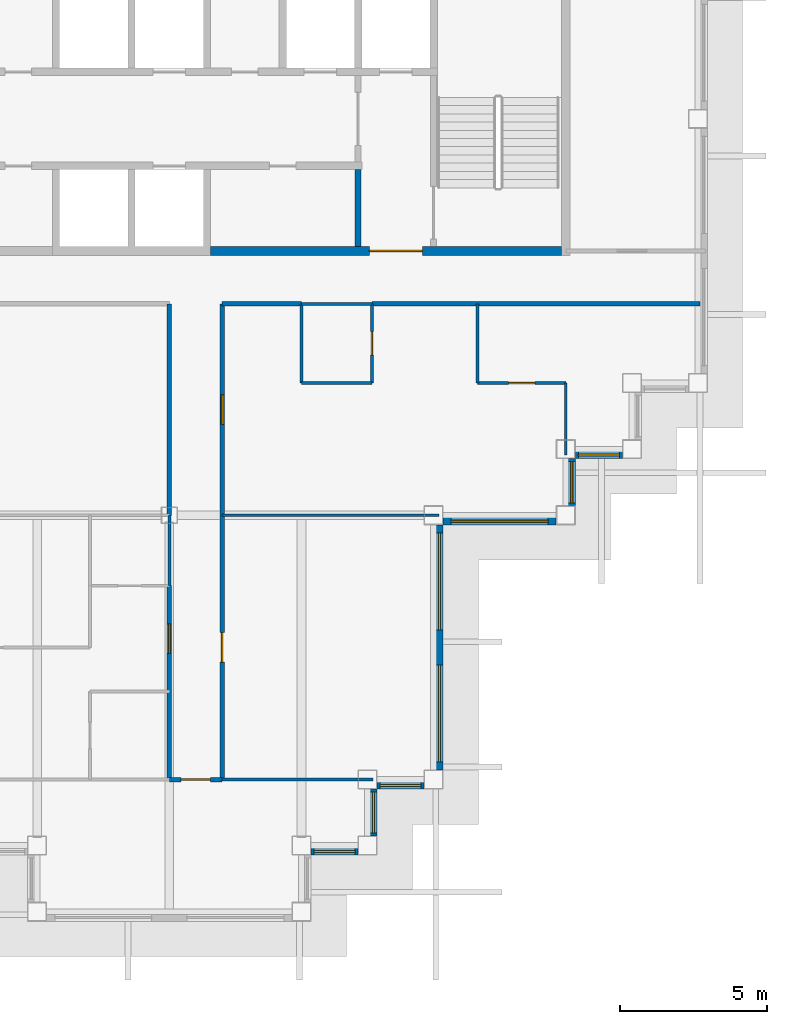
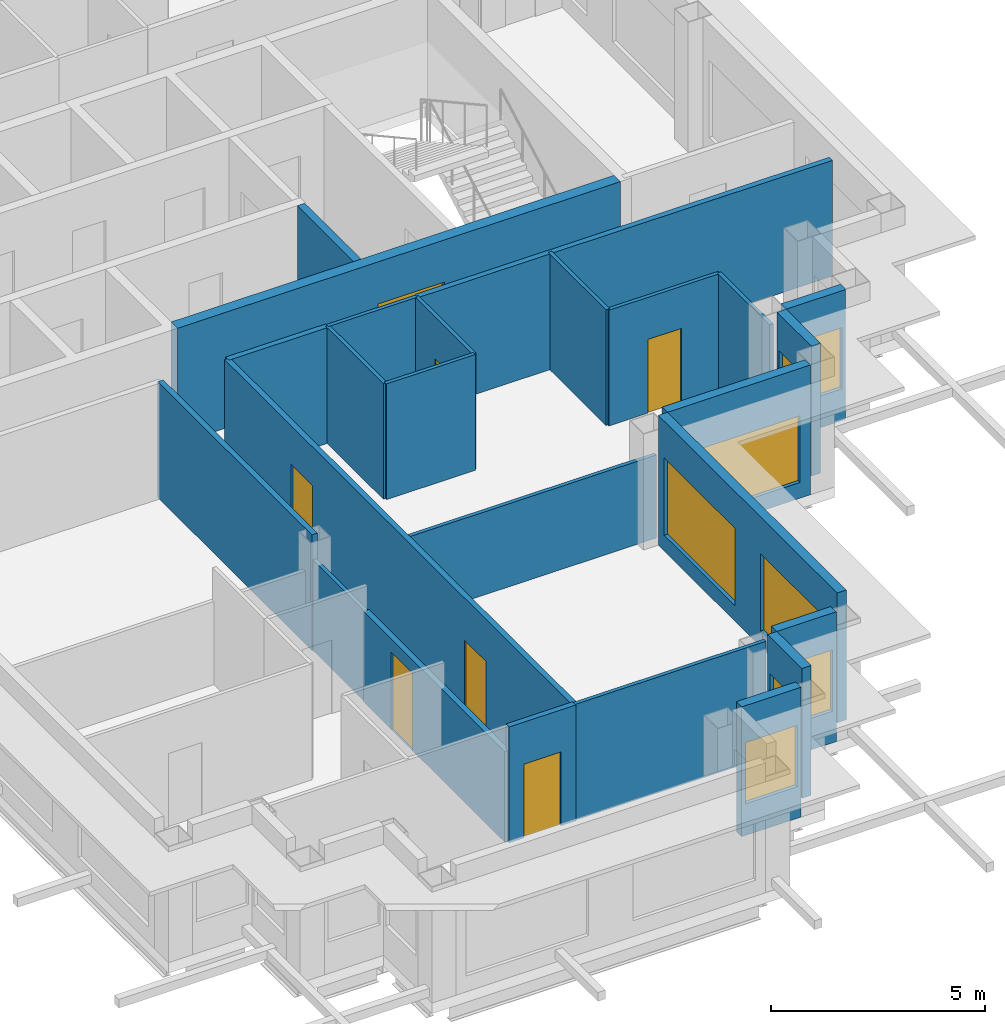
# One storey, part 4 of 11: 25 walls, 8 windows, 7 doors, 15 openings.
"""IFC4 building model written with IfcOpenShell, lengths in metres."""

from ifc_helpers import new_model, si_unit, direction, frame, frame_2d, origin, place, context, subcontext, project, spatial, rectangle, extrude, material, layer, layer_set, type_object, element, fill, save


model = new_model("IFC4")

# Units and contexts
model_context = context("Model", 3, precision=1e-05, world=origin(), true_north=direction((0.0, 1.0)))
body_context = subcontext(model_context, "Body", "Model", "MODEL_VIEW")
ifc_project = project(units=[si_unit("LENGTHUNIT", "METRE"), si_unit("AREAUNIT", "SQUARE_METRE"), si_unit("VOLUMEUNIT", "CUBIC_METRE"), si_unit("PLANEANGLEUNIT", "RADIAN"), si_unit("MASSUNIT", "GRAM", prefix="KILO")], contexts=[model_context])

# Site, building, storey
site_placement = place(None, origin())
site = spatial("IfcSite", under=ifc_project, at=site_placement, CompositionType="ELEMENT")
building_placement = place(site_placement, origin())
building = spatial("IfcBuilding", under=site, at=building_placement, Name="Caravel Reach Hotel and Residences", CompositionType="ELEMENT")
storey_placement = place(building_placement, frame((0.0, 0.0, 229.39990234375)))
storey = spatial("IfcBuildingStorey", under=building, at=storey_placement, Name="L58", CompositionType="ELEMENT", Elevation=229.39990234375)

# Walls
ifc_material_1 = material(Name="Gypsum board on steel stud", Category="steel")
ifc_layer_1 = layer(ifc_material_1, 0.10009765625)
ifc_layer_set_1 = layer_set([ifc_layer_1], Name="Bathroom pod wall 100 mm")
wall_type_1 = type_object("IfcWallType", Name="Bathroom pod wall 100 mm", PredefinedType="PARTITIONING", material=ifc_layer_set_1)
for number, where, z_axis, x_axis, name in (
    (1, (36.0, 18.0, 0.0), (0.0, 0.0, 1.0), (1.0, 0.0, 0.0), "L58 wall w064"),
    (2, (36.0, 20.699951171875, 0.0), (0.0, 0.0, 1.0), (1.0, 0.0, 0.0), "L58 wall w065"),
):
    element("IfcWall", number, at=place(storey_placement, frame(where, z_axis=z_axis, x_axis=x_axis)), inside=storey, type_object=wall_type_1, Name=name, PredefinedType="PARTITIONING", context=body_context, shape_type="SweptSolid", body=[
        extrude(rectangle(XDim=2.39990234375, YDim=0.10009765625, at=frame_2d((1.199951171875, 0.0))), origin(), (0.0, 0.0, 1.0), 3.300048828125),
    ])
wall_1_placement = place(storey_placement, frame((31.5, 11.10009765625, 0.0), z_axis=(0.0, 0.0, 1.0), x_axis=(0.0, 1.0, 0.0)))
element("IfcWall", 3, at=wall_1_placement, inside=storey, type_object=wall_type_1, Name="L58 wall w078", PredefinedType="PARTITIONING", context=body_context, shape_type="SweptSolid", body=[
    extrude(rectangle(XDim=2.39990234375, YDim=0.10009765625, at=frame_2d((1.199951171875, 0.0))), origin(), (0.0, 0.0, 1.0), 2.580078125),
])
wall_2_placement = place(storey_placement, frame((36.0, 18.0, 0.0), z_axis=(0.0, 0.0, 1.0), x_axis=(0.0, 1.0, 0.0)))
element("IfcWall", 4, at=wall_2_placement, inside=storey, type_object=wall_type_1, Name="L58 wall w080", PredefinedType="PARTITIONING", context=body_context, shape_type="SweptSolid", body=[
    extrude(rectangle(XDim=2.698974609375, YDim=0.10009765625, at=frame_2d((1.349609375, 0.0))), origin(), (0.0, 0.0, 1.0), 3.300048828125),
])

# Wall, opening, door
wall_3_placement = place(storey_placement, frame((38.39990234375, 18.0, 0.0), z_axis=(0.0, 0.0, 1.0), x_axis=(0.0, 1.0, 0.0)))
wall_3 = element("IfcWall", 5, at=wall_3_placement, inside=storey, type_object=wall_type_1, Name="L58 wall w082", PredefinedType="PARTITIONING", context=body_context, shape_type="SweptSolid", body=[
    extrude(rectangle(XDim=2.699951171875, YDim=0.10009765625, at=frame_2d((1.35009765625, 0.0))), origin(), (0.0, 0.0, 1.0), 3.300048828125),
])
opening_1_placement = place(wall_3_placement, frame((0.949951171875, 0.0, 0.0)))
opening_1 = element("IfcOpeningElement", 6, at=opening_1_placement, cuts=wall_3, Name="Opening D58-030", PredefinedType="OPENING", context=body_context, shape_type="SweptSolid", body=[
    extrude(rectangle(XDim=0.800048828125, YDim=2.10009765625, at=frame_2d((0.39990234375, 1.050048828125))), frame((0.0, 0.06005859375, 0.0), z_axis=(0.0, -1.0, 0.0), x_axis=(1.0, 0.0, 0.0)), (0.0, 0.0, 1.0), 0.1201171875),
])
ifc_material_2 = material(Name="Timber and steel door leaf", Category="steel")
door_type_1 = type_object("IfcDoorType", Name="Bathroom door 800 x 2100", OperationType="SINGLE_SWING_LEFT", PredefinedType="DOOR", material=ifc_material_2)
door_1_placement = place(opening_1_placement, origin())
door_1 = element("IfcDoor", 7, at=door_1_placement, inside=storey, type_object=door_type_1, Name="door D58-030", OperationType="SINGLE_SWING_RIGHT", OverallHeight=2.10009765625, OverallWidth=0.800048828125, PredefinedType="DOOR", context=body_context, shape_type="SweptSolid", body=[
    extrude(rectangle(XDim=0.800048828125, YDim=2.10009765625, at=frame_2d((0.39990234375, 1.050048828125))), frame((0.0, 0.02490234375, 0.0), z_axis=(0.0, -1.0, 0.0), x_axis=(1.0, 0.0, 0.0)), (0.0, 0.0, 1.0), 0.050048828125),
])
fill(opening_1, door_1)

# Wall
ifc_material_3 = material(Name="Autoclaved aerated block wall")
ifc_layer_2 = layer(ifc_material_3, 0.199951171875)
ifc_layer_set_2 = layer_set([ifc_layer_2], Name="Compartment wall 200 mm EI 120")
wall_type_2 = type_object("IfcWallType", Name="Compartment wall 200 mm EI 120", PredefinedType="PARTITIONING", material=ifc_layer_set_2)
wall_4_placement = place(storey_placement, frame((37.928466796875, 22.64990234375, 0.0), z_axis=(0.0, 0.0, 1.0), x_axis=(0.0, 1.0, 0.0)))
element("IfcWall", 8, at=wall_4_placement, inside=storey, type_object=wall_type_2, Name="L58 store partition", PredefinedType="PARTITIONING", context=body_context, shape_type="SweptSolid", body=[
    extrude(rectangle(XDim=2.625, YDim=0.199951171875, at=frame_2d((1.3125, 0.0))), origin(), (0.0, 0.0, 1.0), 3.300048828125),
])

# Wall, opening, door
ifc_material_4 = material(Name="Concrete C60", Category="concrete")
ifc_layer_3 = layer(ifc_material_4, 0.300048828125)
ifc_layer_set_3 = layer_set([ifc_layer_3], Name="Core wall 300 mm EI 120")
wall_type_3 = type_object("IfcWallType", Name="Core wall 300 mm EI 120", PredefinedType="SHEAR", material=ifc_layer_set_3)
wall_5_placement = place(storey_placement, frame((32.91064453125, 22.5, 0.0), z_axis=(0.0, 0.0, 1.0), x_axis=(1.0, 0.0, 0.0)))
wall_5 = element("IfcWall", 9, at=wall_5_placement, inside=storey, type_object=wall_type_3, Name="L58 core wall S3", PredefinedType="SHEAR", context=body_context, shape_type="SweptSolid", body=[
    extrude(rectangle(XDim=11.939453125, YDim=0.300048828125, at=frame_2d((5.9697265625, 0.0))), origin(), (0.0, 0.0, 1.0), 3.300048828125),
])
opening_2_placement = place(wall_5_placement, frame((5.403564453125, 0.0, 0.0)))
opening_2 = element("IfcOpeningElement", 10, at=opening_2_placement, cuts=wall_5, Name="Opening D58-015", PredefinedType="OPENING", context=body_context, shape_type="SweptSolid", body=[
    extrude(rectangle(XDim=1.800048828125, YDim=2.10009765625, at=frame_2d((0.89990234375, 1.050048828125))), frame((0.0, 0.159912109375, 0.0), z_axis=(0.0, -1.0, 0.0), x_axis=(1.0, 0.0, 0.0)), (0.0, 0.0, 1.0), 0.320068359375),
])
ifc_material_5 = material(Name="Steel fire door leaf", Category="steel")
door_type_2 = type_object("IfcDoorType", Name="Fire lobby door pair 1800 x 2100 EI 90", OperationType="DOUBLE_DOOR_SINGLE_SWING", PredefinedType="DOOR", material=ifc_material_5)
door_2_placement = place(opening_2_placement, origin())
door_2 = element("IfcDoor", 11, at=door_2_placement, inside=storey, type_object=door_type_2, Name="lobby S door pair to corridor", OperationType="DOUBLE_DOOR_SINGLE_SWING", OverallHeight=2.10009765625, OverallWidth=1.800048828125, PredefinedType="DOOR", context=body_context, shape_type="SweptSolid", body=[
    extrude(rectangle(XDim=1.800048828125, YDim=2.10009765625, at=frame_2d((0.89990234375, 1.050048828125))), frame((0.0, 0.02490234375, 0.0), z_axis=(0.0, -1.0, 0.0), x_axis=(1.0, 0.0, 0.0)), (0.0, 0.0, 1.0), 0.050048828125),
])
fill(opening_2, door_2)

# Walls
ifc_material_6 = material(Name="Gypsum board on steel stud, fire-rated", Category="steel")
ifc_layer_4 = layer(ifc_material_6, 0.14990234375)
ifc_layer_set_4 = layer_set([ifc_layer_4], Name="Corridor wall 150 mm EI 60")
wall_type_4 = type_object("IfcWallType", Name="Corridor wall 150 mm EI 60", PredefinedType="PARTITIONING", material=ifc_layer_set_4)
wall_6_placement = place(storey_placement, frame((33.301025390625, 20.699951171875, 0.0), z_axis=(0.0, 0.0, 1.0), x_axis=(1.0, 0.0, 0.0)))
element("IfcWall", 12, at=wall_6_placement, inside=storey, type_object=wall_type_4, Name="L58 wall w001", PredefinedType="PARTITIONING", context=body_context, shape_type="SweptSolid", body=[
    extrude(rectangle(XDim=2.697998046875, YDim=0.14990234375, at=frame_2d((1.34912109375, 0.0))), origin(), (0.0, 0.0, 1.0), 3.300048828125),
])
wall_7_placement = place(storey_placement, frame((38.39990234375, 20.699951171875, 0.0), z_axis=(0.0, 0.0, 1.0), x_axis=(1.0, 0.0, 0.0)))
element("IfcWall", 13, at=wall_7_placement, inside=storey, type_object=wall_type_4, Name="L58 wall w002", PredefinedType="PARTITIONING", context=body_context, shape_type="SweptSolid", body=[
    extrude(rectangle(XDim=11.175048828125, YDim=0.14990234375, at=frame_2d((5.58740234375, 0.0))), origin(), (0.0, 0.0, 1.0), 3.300048828125),
])

# Wall, opening, door
wall_8_placement = place(storey_placement, frame((31.5, 4.5, 0.0), z_axis=(0.0, 0.0, 1.0), x_axis=(1.0, 0.0, 0.0)))
wall_8 = element("IfcWall", 14, at=wall_8_placement, inside=storey, type_object=wall_type_4, Name="L58 wall w017", PredefinedType="PARTITIONING", context=body_context, shape_type="SweptSolid", body=[
    extrude(rectangle(XDim=1.800048828125, YDim=0.14990234375, at=frame_2d((0.89990234375, 0.0))), origin(), (0.0, 0.0, 1.0), 3.300048828125),
])
opening_3_placement = place(wall_8_placement, frame((0.39990234375, 0.0, 0.0)))
opening_3 = element("IfcOpeningElement", 15, at=opening_3_placement, cuts=wall_8, Name="Opening D58-041", PredefinedType="OPENING", context=body_context, shape_type="SweptSolid", body=[
    extrude(rectangle(XDim=1.0, YDim=2.10009765625, at=frame_2d((0.5, 1.050048828125))), frame((0.0, 0.0849609375, 0.0), z_axis=(0.0, -1.0, 0.0), x_axis=(1.0, 0.0, 0.0)), (0.0, 0.0, 1.0), 0.169921875),
])
ifc_material_7 = material(Name="Steel fire door leaf", Category="steel")
door_type_3 = type_object("IfcDoorType", Name="Fire door 1000 x 2100 EI 60", OperationType="SINGLE_SWING_LEFT", PredefinedType="DOOR", material=ifc_material_7)
door_3_placement = place(opening_3_placement, origin())
door_3 = element("IfcDoor", 16, at=door_3_placement, inside=storey, type_object=door_type_3, Name="door D58-041", OperationType="SINGLE_SWING_RIGHT", OverallHeight=2.10009765625, OverallWidth=1.0, PredefinedType="DOOR", context=body_context, shape_type="SweptSolid", body=[
    extrude(rectangle(XDim=1.0, YDim=2.10009765625, at=frame_2d((0.5, 1.050048828125))), frame((0.0, 0.02490234375, 0.0), z_axis=(0.0, -1.0, 0.0), x_axis=(1.0, 0.0, 0.0)), (0.0, 0.0, 1.0), 0.050048828125),
])
fill(opening_3, door_3)

wall_9_placement = place(storey_placement, frame((31.5, 4.5, 0.0), z_axis=(0.0, 0.0, 1.0), x_axis=(0.0, 1.0, 0.0)))
wall_9 = element("IfcWall", 17, at=wall_9_placement, inside=storey, type_object=wall_type_4, Name="L58 wall w021", PredefinedType="PARTITIONING", context=body_context, shape_type="SweptSolid", body=[
    extrude(rectangle(XDim=6.60009765625, YDim=0.14990234375, at=frame_2d((3.300048828125, 0.0))), origin(), (0.0, 0.0, 1.0), 2.580078125),
])
opening_4_placement = place(wall_9_placement, frame((4.300048828125, 0.0, 0.0)))
opening_4 = element("IfcOpeningElement", 18, at=opening_4_placement, cuts=wall_9, Name="Opening D58-032", PredefinedType="OPENING", context=body_context, shape_type="SweptSolid", body=[
    extrude(rectangle(XDim=1.0, YDim=2.199951171875, at=frame_2d((0.5, 1.10009765625))), frame((0.0, 0.0849609375, 0.0), z_axis=(0.0, -1.0, 0.0), x_axis=(1.0, 0.0, 0.0)), (0.0, 0.0, 1.0), 0.169921875),
])
ifc_material_8 = material(Name="Steel fire door leaf", Category="steel")
door_type_4 = type_object("IfcDoorType", Name="Flat entrance door 1000 x 2200 EI 60", OperationType="SINGLE_SWING_LEFT", PredefinedType="DOOR", material=ifc_material_8)
door_4_placement = place(opening_4_placement, origin())
door_4 = element("IfcDoor", 19, at=door_4_placement, inside=storey, type_object=door_type_4, Name="door D58-032", OperationType="SINGLE_SWING_LEFT", OverallHeight=2.199951171875, OverallWidth=1.0, PredefinedType="DOOR", context=body_context, shape_type="SweptSolid", body=[
    extrude(rectangle(XDim=1.0, YDim=2.199951171875, at=frame_2d((0.5, 1.10009765625))), frame((0.0, 0.02490234375, 0.0), z_axis=(0.0, -1.0, 0.0), x_axis=(1.0, 0.0, 0.0)), (0.0, 0.0, 1.0), 0.050048828125),
])
fill(opening_4, door_4)

# Wall
wall_10_placement = place(storey_placement, frame((31.5, 13.5, 0.0), z_axis=(0.0, 0.0, 1.0), x_axis=(0.0, 1.0, 0.0)))
element("IfcWall", 20, at=wall_10_placement, inside=storey, type_object=wall_type_4, Name="L58 wall w022", PredefinedType="PARTITIONING", context=body_context, shape_type="SweptSolid", body=[
    extrude(rectangle(XDim=7.199951171875, YDim=0.14990234375, at=frame_2d((3.60009765625, 0.0))), origin(), (0.0, 0.0, 1.0), 3.300048828125),
])

# Wall, openings, doors
wall_11_placement = place(storey_placement, frame((33.300048828125, 4.5, 0.0), z_axis=(0.0, 0.0, 1.0), x_axis=(0.0, 1.0, 0.0)))
wall_11 = element("IfcWall", 21, at=wall_11_placement, inside=storey, type_object=wall_type_4, Name="L58 wall w023", PredefinedType="PARTITIONING", context=body_context, shape_type="SweptSolid", body=[
    extrude(rectangle(XDim=16.198974609375, YDim=0.14990234375, at=frame_2d((8.099609375, 0.0))), origin(), (0.0, 0.0, 1.0), 3.300048828125),
])
opening_5_placement = place(wall_11_placement, frame((12.09912109375, 0.0, 0.0)))
opening_5 = element("IfcOpeningElement", 22, at=opening_5_placement, cuts=wall_11, Name="Opening D58-029", PredefinedType="OPENING", context=body_context, shape_type="SweptSolid", body=[
    extrude(rectangle(XDim=1.0, YDim=2.199951171875, at=frame_2d((0.5, 1.10009765625))), frame((0.0, 0.0849609375, 0.0), z_axis=(0.0, -1.0, 0.0), x_axis=(1.0, 0.0, 0.0)), (0.0, 0.0, 1.0), 0.169921875),
])
opening_6_placement = place(wall_11_placement, frame((4.0, 0.0, 0.0)))
opening_6 = element("IfcOpeningElement", 23, at=opening_6_placement, cuts=wall_11, Name="Opening D58-036", PredefinedType="OPENING", context=body_context, shape_type="SweptSolid", body=[
    extrude(rectangle(XDim=1.0, YDim=2.10009765625, at=frame_2d((0.5, 1.050048828125))), frame((0.0, 0.0849609375, 0.0), z_axis=(0.0, -1.0, 0.0), x_axis=(1.0, 0.0, 0.0)), (0.0, 0.0, 1.0), 0.169921875),
])
door_5_placement = place(opening_6_placement, origin())
door_5 = element("IfcDoor", 24, at=door_5_placement, inside=storey, type_object=door_type_3, Name="door D58-036", OperationType="SINGLE_SWING_LEFT", OverallHeight=2.10009765625, OverallWidth=1.0, PredefinedType="DOOR", context=body_context, shape_type="SweptSolid", body=[
    extrude(rectangle(XDim=1.0, YDim=2.10009765625, at=frame_2d((0.5, 1.050048828125))), frame((0.0, 0.02490234375, 0.0), z_axis=(0.0, -1.0, 0.0), x_axis=(1.0, 0.0, 0.0)), (0.0, 0.0, 1.0), 0.050048828125),
])
fill(opening_6, door_5)
door_6_placement = place(opening_5_placement, origin())
door_6 = element("IfcDoor", 25, at=door_6_placement, inside=storey, type_object=door_type_4, Name="door D58-029", OperationType="SINGLE_SWING_LEFT", OverallHeight=2.199951171875, OverallWidth=1.0, PredefinedType="DOOR", context=body_context, shape_type="SweptSolid", body=[
    extrude(rectangle(XDim=1.0, YDim=2.199951171875, at=frame_2d((0.5, 1.10009765625))), frame((0.0, 0.02490234375, 0.0), z_axis=(0.0, -1.0, 0.0), x_axis=(1.0, 0.0, 0.0)), (0.0, 0.0, 1.0), 0.050048828125),
])
fill(opening_5, door_6)

# Wall, opening, window
ifc_material_9 = material(Name="Insulated rainscreen wall, aluminium cladding", Category="aluminium")
ifc_layer_5 = layer(ifc_material_9, 0.25)
ifc_layer_set_5 = layer_set([ifc_layer_5], Name="EW1 Tower rainscreen wall")
wall_type_5 = type_object("IfcWallType", Name="EW1 Tower rainscreen wall", PredefinedType="SOLIDWALL", material=ifc_layer_set_5)
wall_12_placement = place(storey_placement, frame((40.824951171875, 13.300048828125, 0.0), z_axis=(0.0, 0.0, 1.0), x_axis=(1.0, 0.0, 0.0)))
wall_12 = element("IfcWall", 26, at=wall_12_placement, inside=storey, type_object=wall_type_5, Name="External wall L58 S1.1", PredefinedType="SOLIDWALL", context=body_context, shape_type="SweptSolid", body=[
    extrude(rectangle(XDim=3.85009765625, YDim=0.25, at=frame_2d((1.925048828125, 0.0))), origin(), (0.0, 0.0, 1.0), 3.7001953125),
])
opening_7_placement = place(wall_12_placement, frame((0.27490234375, 0.0, 0.449951171875)))
opening_7 = element("IfcOpeningElement", 27, at=opening_7_placement, cuts=wall_12, Name="Opening WN23", PredefinedType="OPENING", context=body_context, shape_type="SweptSolid", body=[
    extrude(rectangle(XDim=3.300048828125, YDim=1.89990234375, at=frame_2d((1.64990234375, 0.949951171875))), frame((0.0, 0.135009765625, 0.0), z_axis=(0.0, -1.0, 0.0), x_axis=(1.0, 0.0, 0.0)), (0.0, 0.0, 1.0), 0.27001953125),
])
ifc_material_10 = material(Name="Dark low-e glazing in black aluminium frame", Category="aluminium")
window_type_1 = type_object("IfcWindowType", Name="Residence living window 3300 x 1900", PartitioningType="SINGLE_PANEL", PredefinedType="WINDOW", material=ifc_material_10)
window_1_placement = place(opening_7_placement, origin())
window_1 = element("IfcWindow", 28, at=window_1_placement, inside=storey, type_object=window_type_1, Name="Window L58 S1.1.1", OverallHeight=1.89990234375, OverallWidth=3.300048828125, PartitioningType="SINGLE_PANEL", PredefinedType="WINDOW", context=body_context, shape_type="SweptSolid", body=[
    extrude(rectangle(XDim=3.300048828125, YDim=1.89990234375, at=frame_2d((1.64990234375, 0.949951171875))), frame((0.0, 0.030029296875, 0.0), z_axis=(0.0, -1.0, 0.0), x_axis=(1.0, 0.0, 0.0)), (0.0, 0.0, 1.0), 0.06005859375),
])
fill(opening_7, window_1)

wall_13_placement = place(storey_placement, frame((45.199951171875, 13.824951171875, 0.0), z_axis=(0.0, 0.0, 1.0), x_axis=(0.0, 1.0, 0.0)))
wall_13 = element("IfcWall", 29, at=wall_13_placement, inside=storey, type_object=wall_type_5, Name="External wall L58 E2.1", PredefinedType="SOLIDWALL", context=body_context, shape_type="SweptSolid", body=[
    extrude(rectangle(XDim=1.60009765625, YDim=0.25, at=frame_2d((0.800048828125, 0.0))), origin(), (0.0, 0.0, 1.0), 3.7001953125),
])
opening_8_placement = place(wall_13_placement, frame((0.10009765625, 0.0, 0.89990234375)))
opening_8 = element("IfcOpeningElement", 30, at=opening_8_placement, cuts=wall_13, Name="Opening WN24", PredefinedType="OPENING", context=body_context, shape_type="SweptSolid", body=[
    extrude(rectangle(XDim=1.39990234375, YDim=1.75, at=frame_2d((0.699951171875, 0.875))), frame((0.0, 0.135009765625, 0.0), z_axis=(0.0, -1.0, 0.0), x_axis=(1.0, 0.0, 0.0)), (0.0, 0.0, 1.0), 0.27001953125),
])
ifc_material_11 = material(Name="Dark low-e glazing in black aluminium frame", Category="aluminium")
window_type_2 = type_object("IfcWindowType", Name="Residence bedroom window 1400 x 1750", PartitioningType="SINGLE_PANEL", PredefinedType="WINDOW", material=ifc_material_11)
window_2_placement = place(opening_8_placement, origin())
window_2 = element("IfcWindow", 31, at=window_2_placement, inside=storey, type_object=window_type_2, Name="Window L58 E2.1.1", OverallHeight=1.75, OverallWidth=1.39990234375, PartitioningType="SINGLE_PANEL", PredefinedType="WINDOW", context=body_context, shape_type="SweptSolid", body=[
    extrude(rectangle(XDim=1.39990234375, YDim=1.75, at=frame_2d((0.699951171875, 0.875))), frame((0.0, 0.030029296875, 0.0), z_axis=(0.0, -1.0, 0.0), x_axis=(1.0, 0.0, 0.0)), (0.0, 0.0, 1.0), 0.06005859375),
])
fill(opening_8, window_2)

wall_14_placement = place(storey_placement, frame((45.324951171875, 15.550048828125, 0.0), z_axis=(0.0, 0.0, 1.0), x_axis=(1.0, 0.0, 0.0)))
wall_14 = element("IfcWall", 32, at=wall_14_placement, inside=storey, type_object=wall_type_5, Name="External wall L58 S3.1", PredefinedType="SOLIDWALL", context=body_context, shape_type="SweptSolid", body=[
    extrude(rectangle(XDim=1.60009765625, YDim=0.25, at=frame_2d((0.800048828125, 0.0))), origin(), (0.0, 0.0, 1.0), 3.7001953125),
])
opening_9_placement = place(wall_14_placement, frame((0.10009765625, 0.0, 0.89990234375)))
opening_9 = element("IfcOpeningElement", 33, at=opening_9_placement, cuts=wall_14, Name="Opening WN24", PredefinedType="OPENING", context=body_context, shape_type="SweptSolid", body=[
    extrude(rectangle(XDim=1.39990234375, YDim=1.75, at=frame_2d((0.699951171875, 0.875))), frame((0.0, 0.135009765625, 0.0), z_axis=(0.0, -1.0, 0.0), x_axis=(1.0, 0.0, 0.0)), (0.0, 0.0, 1.0), 0.27001953125),
])
window_3_placement = place(opening_9_placement, origin())
window_3 = element("IfcWindow", 34, at=window_3_placement, inside=storey, type_object=window_type_2, Name="Window L58 S3.1.1", OverallHeight=1.75, OverallWidth=1.39990234375, PartitioningType="SINGLE_PANEL", PredefinedType="WINDOW", context=body_context, shape_type="SweptSolid", body=[
    extrude(rectangle(XDim=1.39990234375, YDim=1.75, at=frame_2d((0.699951171875, 0.875))), frame((0.0, 0.030029296875, 0.0), z_axis=(0.0, -1.0, 0.0), x_axis=(1.0, 0.0, 0.0)), (0.0, 0.0, 1.0), 0.06005859375),
])
fill(opening_9, window_3)

wall_15_placement = place(storey_placement, frame((36.324951171875, 2.050048828125, 0.0), z_axis=(0.0, 0.0, 1.0), x_axis=(1.0, 0.0, 0.0)))
wall_15 = element("IfcWall", 35, at=wall_15_placement, inside=storey, type_object=wall_type_5, Name="External wall L58 S37.1", PredefinedType="SOLIDWALL", context=body_context, shape_type="SweptSolid", body=[
    extrude(rectangle(XDim=1.60009765625, YDim=0.25, at=frame_2d((0.800048828125, 0.0))), origin(), (0.0, 0.0, 1.0), 3.7001953125),
])
opening_10_placement = place(wall_15_placement, frame((0.10009765625, 0.0, 0.89990234375)))
opening_10 = element("IfcOpeningElement", 36, at=opening_10_placement, cuts=wall_15, Name="Opening WN24", PredefinedType="OPENING", context=body_context, shape_type="SweptSolid", body=[
    extrude(rectangle(XDim=1.39990234375, YDim=1.75, at=frame_2d((0.699951171875, 0.875))), frame((0.0, 0.135009765625, 0.0), z_axis=(0.0, -1.0, 0.0), x_axis=(1.0, 0.0, 0.0)), (0.0, 0.0, 1.0), 0.27001953125),
])
window_4_placement = place(opening_10_placement, origin())
window_4 = element("IfcWindow", 37, at=window_4_placement, inside=storey, type_object=window_type_2, Name="Window L58 S37.1.1", OverallHeight=1.75, OverallWidth=1.39990234375, PartitioningType="SINGLE_PANEL", PredefinedType="WINDOW", context=body_context, shape_type="SweptSolid", body=[
    extrude(rectangle(XDim=1.39990234375, YDim=1.75, at=frame_2d((0.699951171875, 0.875))), frame((0.0, 0.030029296875, 0.0), z_axis=(0.0, -1.0, 0.0), x_axis=(1.0, 0.0, 0.0)), (0.0, 0.0, 1.0), 0.06005859375),
])
fill(opening_10, window_4)

wall_16_placement = place(storey_placement, frame((38.449951171875, 2.574951171875, 0.0), z_axis=(0.0, 0.0, 1.0), x_axis=(0.0, 1.0, 0.0)))
wall_16 = element("IfcWall", 38, at=wall_16_placement, inside=storey, type_object=wall_type_5, Name="External wall L58 E38.1", PredefinedType="SOLIDWALL", context=body_context, shape_type="SweptSolid", body=[
    extrude(rectangle(XDim=1.60009765625, YDim=0.25, at=frame_2d((0.800048828125, 0.0))), origin(), (0.0, 0.0, 1.0), 3.7001953125),
])
opening_11_placement = place(wall_16_placement, frame((0.10009765625, 0.0, 0.89990234375)))
opening_11 = element("IfcOpeningElement", 39, at=opening_11_placement, cuts=wall_16, Name="Opening WN24", PredefinedType="OPENING", context=body_context, shape_type="SweptSolid", body=[
    extrude(rectangle(XDim=1.39990234375, YDim=1.75, at=frame_2d((0.699951171875, 0.875))), frame((0.0, 0.135009765625, 0.0), z_axis=(0.0, -1.0, 0.0), x_axis=(1.0, 0.0, 0.0)), (0.0, 0.0, 1.0), 0.27001953125),
])
window_5_placement = place(opening_11_placement, origin())
window_5 = element("IfcWindow", 40, at=window_5_placement, inside=storey, type_object=window_type_2, Name="Window L58 E38.1.1", OverallHeight=1.75, OverallWidth=1.39990234375, PartitioningType="SINGLE_PANEL", PredefinedType="WINDOW", context=body_context, shape_type="SweptSolid", body=[
    extrude(rectangle(XDim=1.39990234375, YDim=1.75, at=frame_2d((0.699951171875, 0.875))), frame((0.0, 0.030029296875, 0.0), z_axis=(0.0, -1.0, 0.0), x_axis=(1.0, 0.0, 0.0)), (0.0, 0.0, 1.0), 0.06005859375),
])
fill(opening_11, window_5)

wall_17_placement = place(storey_placement, frame((38.574951171875, 4.300048828125, 0.0), z_axis=(0.0, 0.0, 1.0), x_axis=(1.0, 0.0, 0.0)))
wall_17 = element("IfcWall", 41, at=wall_17_placement, inside=storey, type_object=wall_type_5, Name="External wall L58 S39.1", PredefinedType="SOLIDWALL", context=body_context, shape_type="SweptSolid", body=[
    extrude(rectangle(XDim=1.60009765625, YDim=0.25, at=frame_2d((0.800048828125, 0.0))), origin(), (0.0, 0.0, 1.0), 3.7001953125),
])
opening_12_placement = place(wall_17_placement, frame((0.10009765625, 0.0, 0.89990234375)))
opening_12 = element("IfcOpeningElement", 42, at=opening_12_placement, cuts=wall_17, Name="Opening WN24", PredefinedType="OPENING", context=body_context, shape_type="SweptSolid", body=[
    extrude(rectangle(XDim=1.39990234375, YDim=1.75, at=frame_2d((0.699951171875, 0.875))), frame((0.0, 0.135009765625, 0.0), z_axis=(0.0, -1.0, 0.0), x_axis=(1.0, 0.0, 0.0)), (0.0, 0.0, 1.0), 0.27001953125),
])
window_6_placement = place(opening_12_placement, origin())
window_6 = element("IfcWindow", 43, at=window_6_placement, inside=storey, type_object=window_type_2, Name="Window L58 S39.1.1", OverallHeight=1.75, OverallWidth=1.39990234375, PartitioningType="SINGLE_PANEL", PredefinedType="WINDOW", context=body_context, shape_type="SweptSolid", body=[
    extrude(rectangle(XDim=1.39990234375, YDim=1.75, at=frame_2d((0.699951171875, 0.875))), frame((0.0, 0.030029296875, 0.0), z_axis=(0.0, -1.0, 0.0), x_axis=(1.0, 0.0, 0.0)), (0.0, 0.0, 1.0), 0.06005859375),
])
fill(opening_12, window_6)

# Wall, openings, windows
wall_18_placement = place(storey_placement, frame((40.699951171875, 4.824951171875, 0.0), z_axis=(0.0, 0.0, 1.0), x_axis=(0.0, 1.0, 0.0)))
wall_18 = element("IfcWall", 44, at=wall_18_placement, inside=storey, type_object=wall_type_5, Name="External wall L58 E40.1", PredefinedType="SOLIDWALL", context=body_context, shape_type="SweptSolid", body=[
    extrude(rectangle(XDim=8.35009765625, YDim=0.25, at=frame_2d((4.175048828125, 0.0))), origin(), (0.0, 0.0, 1.0), 3.7001953125),
])
opening_13_placement = place(wall_18_placement, frame((0.27490234375, 0.0, 0.449951171875)))
opening_13 = element("IfcOpeningElement", 45, at=opening_13_placement, cuts=wall_18, Name="Opening WN19", PredefinedType="OPENING", context=body_context, shape_type="SweptSolid", body=[
    extrude(rectangle(XDim=3.300048828125, YDim=2.199951171875, at=frame_2d((1.64990234375, 1.10009765625))), frame((0.0, 0.135009765625, 0.0), z_axis=(0.0, -1.0, 0.0), x_axis=(1.0, 0.0, 0.0)), (0.0, 0.0, 1.0), 0.27001953125),
])
opening_14_placement = place(wall_18_placement, frame((4.77490234375, 0.0, 0.449951171875)))
opening_14 = element("IfcOpeningElement", 46, at=opening_14_placement, cuts=wall_18, Name="Opening WN19", PredefinedType="OPENING", context=body_context, shape_type="SweptSolid", body=[
    extrude(rectangle(XDim=3.300048828125, YDim=2.199951171875, at=frame_2d((1.64990234375, 1.10009765625))), frame((0.0, 0.135009765625, 0.0), z_axis=(0.0, -1.0, 0.0), x_axis=(1.0, 0.0, 0.0)), (0.0, 0.0, 1.0), 0.27001953125),
])
ifc_material_12 = material(Name="Dark low-e glazing in black aluminium frame", Category="aluminium")
window_type_3 = type_object("IfcWindowType", Name="Residence living window 3300 x 2200", PartitioningType="SINGLE_PANEL", PredefinedType="WINDOW", material=ifc_material_12)
window_7_placement = place(opening_13_placement, origin())
window_7 = element("IfcWindow", 47, at=window_7_placement, inside=storey, type_object=window_type_3, Name="Window L58 E40.1.1", OverallHeight=2.199951171875, OverallWidth=3.300048828125, PartitioningType="SINGLE_PANEL", PredefinedType="WINDOW", context=body_context, shape_type="SweptSolid", body=[
    extrude(rectangle(XDim=3.300048828125, YDim=2.199951171875, at=frame_2d((1.64990234375, 1.10009765625))), frame((0.0, 0.030029296875, 0.0), z_axis=(0.0, -1.0, 0.0), x_axis=(1.0, 0.0, 0.0)), (0.0, 0.0, 1.0), 0.06005859375),
])
fill(opening_13, window_7)
window_8_placement = place(opening_14_placement, origin())
window_8 = element("IfcWindow", 48, at=window_8_placement, inside=storey, type_object=window_type_3, Name="Window L58 E40.1.2", OverallHeight=2.199951171875, OverallWidth=3.300048828125, PartitioningType="SINGLE_PANEL", PredefinedType="WINDOW", context=body_context, shape_type="SweptSolid", body=[
    extrude(rectangle(XDim=3.300048828125, YDim=2.199951171875, at=frame_2d((1.64990234375, 1.10009765625))), frame((0.0, 0.030029296875, 0.0), z_axis=(0.0, -1.0, 0.0), x_axis=(1.0, 0.0, 0.0)), (0.0, 0.0, 1.0), 0.06005859375),
])
fill(opening_14, window_8)

# Wall
ifc_material_13 = material(Name="Gypsum board on steel stud", Category="steel")
ifc_layer_6 = layer(ifc_material_13, 0.10009765625)
ifc_layer_set_6 = layer_set([ifc_layer_6], Name="Partition 100 mm")
wall_type_6 = type_object("IfcWallType", Name="Partition 100 mm", PredefinedType="PARTITIONING", material=ifc_layer_set_6)
wall_19_placement = place(storey_placement, frame((33.301025390625, 13.5, 0.0), z_axis=(0.0, 0.0, 1.0), x_axis=(1.0, 0.0, 0.0)))
element("IfcWall", 49, at=wall_19_placement, inside=storey, type_object=wall_type_6, Name="L58 wall w027", PredefinedType="PARTITIONING", context=body_context, shape_type="SweptSolid", body=[
    extrude(rectangle(XDim=7.388916015625, YDim=0.10009765625, at=frame_2d((3.6943359375, 0.0))), origin(), (0.0, 0.0, 1.0), 2.3681640625),
])

# Wall, opening, door
wall_20_placement = place(storey_placement, frame((42.0, 18.0, 0.0), z_axis=(0.0, 0.0, 1.0), x_axis=(1.0, 0.0, 0.0)))
wall_20 = element("IfcWall", 50, at=wall_20_placement, inside=storey, type_object=wall_type_6, Name="L58 wall w030", PredefinedType="PARTITIONING", context=body_context, shape_type="SweptSolid", body=[
    extrude(rectangle(XDim=3.0, YDim=0.10009765625, at=frame_2d((1.5, 0.0))), origin(), (0.0, 0.0, 1.0), 3.300048828125),
])
opening_15_placement = place(wall_20_placement, frame((1.050048828125, 0.0, 0.0)))
opening_15 = element("IfcOpeningElement", 51, at=opening_15_placement, cuts=wall_20, Name="Opening D58-031", PredefinedType="OPENING", context=body_context, shape_type="SweptSolid", body=[
    extrude(rectangle(XDim=0.89990234375, YDim=2.10009765625, at=frame_2d((0.449951171875, 1.050048828125))), frame((0.0, 0.06005859375, 0.0), z_axis=(0.0, -1.0, 0.0), x_axis=(1.0, 0.0, 0.0)), (0.0, 0.0, 1.0), 0.1201171875),
])
ifc_material_14 = material(Name="Timber and steel door leaf", Category="steel")
door_type_5 = type_object("IfcDoorType", Name="Door 900 x 2100 timber", OperationType="SINGLE_SWING_LEFT", PredefinedType="DOOR", material=ifc_material_14)
door_7_placement = place(opening_15_placement, origin())
door_7 = element("IfcDoor", 52, at=door_7_placement, inside=storey, type_object=door_type_5, Name="door D58-031", OperationType="SINGLE_SWING_RIGHT", OverallHeight=2.10009765625, OverallWidth=0.89990234375, PredefinedType="DOOR", context=body_context, shape_type="SweptSolid", body=[
    extrude(rectangle(XDim=0.89990234375, YDim=2.10009765625, at=frame_2d((0.449951171875, 1.050048828125))), frame((0.0, 0.02490234375, 0.0), z_axis=(0.0, -1.0, 0.0), x_axis=(1.0, 0.0, 0.0)), (0.0, 0.0, 1.0), 0.050048828125),
])
fill(opening_15, door_7)

# Walls
wall_21_placement = place(storey_placement, frame((33.300048828125, 4.5, 0.0), z_axis=(0.0, 0.0, 1.0), x_axis=(1.0, 0.0, 0.0)))
element("IfcWall", 53, at=wall_21_placement, inside=storey, type_object=wall_type_6, Name="L58 wall w038", PredefinedType="PARTITIONING", context=body_context, shape_type="SweptSolid", body=[
    extrude(rectangle(XDim=5.139892578125, YDim=0.10009765625, at=frame_2d((2.56982421875, 0.0))), origin(), (0.0, 0.0, 1.0), 3.300048828125),
])
wall_22_placement = place(storey_placement, frame((42.0, 18.0, 0.0), z_axis=(0.0, 0.0, 1.0), x_axis=(0.0, 1.0, 0.0)))
element("IfcWall", 54, at=wall_22_placement, inside=storey, type_object=wall_type_6, Name="L58 wall w055", PredefinedType="PARTITIONING", context=body_context, shape_type="SweptSolid", body=[
    extrude(rectangle(XDim=2.699951171875, YDim=0.10009765625, at=frame_2d((1.35009765625, 0.0))), origin(), (0.0, 0.0, 1.0), 3.300048828125),
])
wall_23_placement = place(storey_placement, frame((45.0, 15.56005859375, 0.0), z_axis=(0.0, 0.0, 1.0), x_axis=(0.0, 1.0, 0.0)))
element("IfcWall", 55, at=wall_23_placement, inside=storey, type_object=wall_type_6, Name="L58 wall w056", PredefinedType="PARTITIONING", context=body_context, shape_type="SweptSolid", body=[
    extrude(rectangle(XDim=2.43994140625, YDim=0.10009765625, at=frame_2d((1.219970703125, 0.0))), origin(), (0.0, 0.0, 1.0), 3.300048828125),
])

save(model, "model.ifc")
